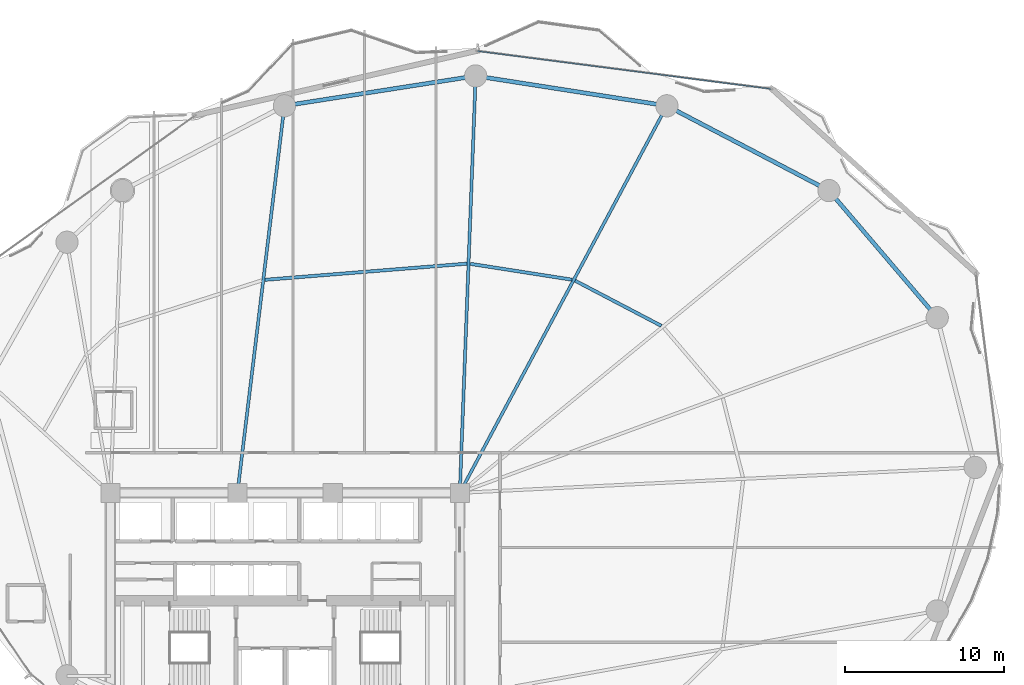
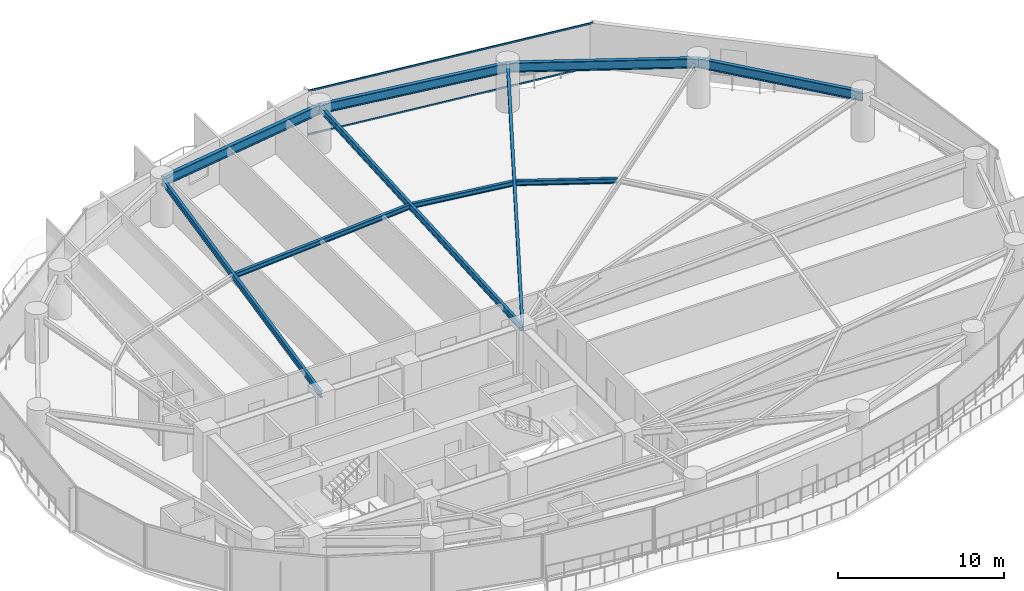
# One storey, part 20 of 30: 10 beams, 2 members, 1 element without a shape of its own.
"""IFC4 building model written with IfcOpenShell, lengths in metres."""

from ifc_helpers import new_model, si_unit, direction, frame, origin, origin_2d, place, context, subcontext, project, spatial, hollow_rectangle, i_section, extrude, material, layer, layer_set, material_profile, profile_set, type_object, element, aggregate, save


model = new_model("IFC4")

# Units and contexts
model_context = context("Model", 3, precision=1e-05, world=origin(), true_north=direction((0.0, 1.0)))
body_context = subcontext(model_context, "Body", "Model", "MODEL_VIEW")
ifc_project = project(units=[si_unit("LENGTHUNIT", "METRE"), si_unit("AREAUNIT", "SQUARE_METRE"), si_unit("VOLUMEUNIT", "CUBIC_METRE"), si_unit("PLANEANGLEUNIT", "RADIAN"), si_unit("MASSUNIT", "GRAM", prefix="KILO")], contexts=[model_context])

# Site, building, storey
site_placement = place(None, origin())
site = spatial("IfcSite", under=ifc_project, at=site_placement, CompositionType="ELEMENT")
building_placement = place(site_placement, origin())
building = spatial("IfcBuilding", under=site, at=building_placement, Name="Kazevale Care Tower and Concert Hall", CompositionType="ELEMENT")
storey_placement = place(building_placement, frame((0.0, 0.0, 88.800048828125)))
storey = spatial("IfcBuildingStorey", under=building, at=storey_placement, Name="L23", CompositionType="ELEMENT", Elevation=88.800048828125)

# Curtain wall, members
ifc_material_1 = material(Name="Aluminium 6063-T6 and Low-E Glass", Category="aluminium")
ifc_layer = layer(ifc_material_1, 0.179931640625)
ifc_layer_set = layer_set([ifc_layer], Name="Aluminium 6063-T6 and Low-E Glass")
curtain_wall_type = type_object("IfcCurtainWallType", Name="Convex Recessed Sunroom Curtain Wall CW-3", PredefinedType="NOTDEFINED", material=ifc_layer_set)
curtain_wall_placement = place(storey_placement, origin())
curtain_wall = element("IfcCurtainWall", 1, at=curtain_wall_placement, inside=storey, type_object=curtain_wall_type, Name="cw:L23:f16", PredefinedType="NOTDEFINED")
ifc_material_2 = material(Name="Aluminium 6063-T6", Category="aluminium")
ifc_material_profile_1 = material_profile(ifc_material_2, hollow_rectangle(XDim=0.074951171875, YDim=0.1201171875, WallThickness=0.00390625, at=origin_2d()), Name="ALU75x120x4")
ifc_profile_set_1 = profile_set([ifc_material_profile_1], Name="Aluminium 6063-T6")
member_type = type_object("IfcMemberType", Name="CW-3 Transom ALU75x120x4", PredefinedType="USERDEFINED", material=ifc_profile_set_1)
member_1_placement = place(storey_placement, frame((45.116455078125, 64.21240234375, 0.037353515625), z_axis=(0.991790531379, -0.12787314756, 0.0), x_axis=(0.12787314756, 0.991790531379, 0.0)))
member_1 = element("IfcMember", 2, at=member_1_placement, type_object=member_type, Name="CW-3 transom 1.1", ObjectType="TRANSOM", PredefinedType="USERDEFINED", context=body_context, shape_type="SweptSolid", body=[
    extrude(hollow_rectangle(XDim=0.074951171875, YDim=0.1201171875, WallThickness=0.00390625, at=origin_2d()), origin(), (0.0, 0.0, 1.0), 18.618896484375),
])
member_2_placement = place(storey_placement, frame((45.116455078125, 64.21240234375, 3.242431640625), z_axis=(0.991790531379, -0.12787314756, 0.0), x_axis=(0.12787314756, 0.991790531379, 0.0)))
member_2 = element("IfcMember", 3, at=member_2_placement, type_object=member_type, Name="CW-3 transom 1.2", ObjectType="TRANSOM", PredefinedType="USERDEFINED", context=body_context, shape_type="SweptSolid", body=[
    extrude(hollow_rectangle(XDim=0.074951171875, YDim=0.1201171875, WallThickness=0.00390625, at=origin_2d()), origin(), (0.0, 0.0, 1.0), 18.618896484375),
])
aggregate(curtain_wall, [member_1, member_2])

# Beams
ifc_material_3 = material(Name="Steel ASTM A572 Gr 50", Category="steel")
ifc_material_profile_2 = material_profile(ifc_material_3, i_section(OverallWidth=0.19091796875, OverallDepth=0.4599609375, WebThickness=0.010009765625, FlangeThickness=0.01611328125, at=origin_2d()), Name="W460x82")
ifc_profile_set_2 = profile_set([ifc_material_profile_2], Name="Steel ASTM A572 Gr 50")
beam_type_1 = type_object("IfcBeamType", Name="Radial Floor Beam W460x82", PredefinedType="BEAM", material=ifc_profile_set_2)
beam_1_placement = place(storey_placement, frame((44.0, 36.39990234375, 3.050048828125), z_axis=(0.471788966953, 0.88171150081, 0.0), x_axis=(-0.88171150081, 0.471788966953, 0.0)))
element("IfcBeam", 4, at=beam_1_placement, inside=storey, type_object=beam_type_1, Name="beam:L23:rad:04", PredefinedType="BEAM", context=body_context, shape_type="SweptSolid", body=[
    extrude(i_section(OverallWidth=0.19091796875, OverallDepth=0.4599609375, WebThickness=0.010009765625, FlangeThickness=0.01611328125, at=origin_2d()), origin(), (0.0, 0.0, 1.0), 27.6396484375),
])
beam_2_placement = place(storey_placement, frame((44.0, 36.39990234375, 3.050048828125), z_axis=(0.038067625343, 0.999275165258, 0.0), x_axis=(-0.999275165258, 0.038067625343, 0.0)))
element("IfcBeam", 5, at=beam_2_placement, inside=storey, type_object=beam_type_1, Name="beam:L23:rad:05", PredefinedType="BEAM", context=body_context, shape_type="SweptSolid", body=[
    extrude(i_section(OverallWidth=0.19091796875, OverallDepth=0.4599609375, WebThickness=0.010009765625, FlangeThickness=0.01611328125, at=origin_2d()), origin(), (0.0, 0.0, 1.0), 26.26904296875),
])
beam_3_placement = place(storey_placement, frame((30.0, 36.39990234375, 3.050048828125), z_axis=(0.120572526662, 0.9927045209, 0.0), x_axis=(-0.9927045209, 0.120572526662, 0.0)))
element("IfcBeam", 6, at=beam_3_placement, inside=storey, type_object=beam_type_1, Name="beam:L23:rad:06", PredefinedType="BEAM", context=body_context, shape_type="SweptSolid", body=[
    extrude(i_section(OverallWidth=0.19091796875, OverallDepth=0.4599609375, WebThickness=0.010009765625, FlangeThickness=0.01611328125, at=origin_2d()), origin(), (0.0, 0.0, 1.0), 24.54931640625),
])
ifc_material_profile_3 = material_profile(ifc_material_3, i_section(OverallWidth=0.205078125, OverallDepth=0.35400390625, WebThickness=0.009521484375, FlangeThickness=0.016845703125, at=origin_2d()), Name="W360x79")
ifc_profile_set_3 = profile_set([ifc_material_profile_3], Name="Steel ASTM A572 Gr 50")
beam_type_2 = type_object("IfcBeamType", Name="Secondary Floor Joist W360x79", PredefinedType="JOIST", material=ifc_profile_set_3)
beam_4_placement = place(storey_placement, frame((56.68896484375, 46.9150390625, 3.10302734375), z_axis=(-0.885921274797, 0.463835633454, 0.0), x_axis=(-0.463835633454, -0.885921274797, 0.0)))
element("IfcBeam", 7, at=beam_4_placement, inside=storey, type_object=beam_type_2, Name="beam:L23:joist:03", PredefinedType="JOIST", context=body_context, shape_type="SweptSolid", body=[
    extrude(i_section(OverallWidth=0.205078125, OverallDepth=0.35400390625, WebThickness=0.009521484375, FlangeThickness=0.016845703125, at=origin_2d()), origin(), (0.0, 0.0, 1.0), 6.12255859375),
])
beam_5_placement = place(storey_placement, frame((51.068115234375, 49.820068359375, 3.10302734375), z_axis=(-0.988040697826, 0.154193318403, 0.0), x_axis=(-0.154193318403, -0.988040697826, 0.0)))
element("IfcBeam", 8, at=beam_5_placement, inside=storey, type_object=beam_type_2, Name="beam:L23:joist:04", PredefinedType="JOIST", context=body_context, shape_type="SweptSolid", body=[
    extrude(i_section(OverallWidth=0.205078125, OverallDepth=0.35400390625, WebThickness=0.009521484375, FlangeThickness=0.016845703125, at=origin_2d()), origin(), (0.0, 0.0, 1.0), 6.49169921875),
])
beam_6_placement = place(storey_placement, frame((44.445068359375, 50.8291015625, 3.10302734375), z_axis=(-0.996814548036, -0.079754353015, 0.0), x_axis=(0.079754353015, -0.996814548036, 0.0)))
element("IfcBeam", 9, at=beam_6_placement, inside=storey, type_object=beam_type_2, Name="beam:L23:joist:05", PredefinedType="JOIST", context=body_context, shape_type="SweptSolid", body=[
    extrude(i_section(OverallWidth=0.205078125, OverallDepth=0.35400390625, WebThickness=0.009521484375, FlangeThickness=0.016845703125, at=origin_2d()), origin(), (0.0, 0.0, 1.0), 12.752685546875),
])
ifc_material_profile_4 = material_profile(ifc_material_3, i_section(OverallWidth=0.256103515625, OverallDepth=0.693115234375, WebThickness=0.014404296875, FlangeThickness=0.023681640625, at=origin_2d()), Name="W690x170")
ifc_profile_set_4 = profile_set([ifc_material_profile_4], Name="Steel ASTM A572 Gr 50")
beam_type_3 = type_object("IfcBeamType", Name="Waist Ring Beam W690x170", PredefinedType="BEAM", material=ifc_profile_set_4)
beam_7_placement = place(storey_placement, frame((74.06005859375, 47.429931640625, 2.933349609375), z_axis=(-0.648756004283, 0.760996482848, 0.0), x_axis=(-0.760996482848, -0.648756004283, 0.0)))
element("IfcBeam", 10, at=beam_7_placement, inside=storey, type_object=beam_type_3, Name="beam:L23:ring:02", PredefinedType="BEAM", context=body_context, shape_type="SweptSolid", body=[
    extrude(i_section(OverallWidth=0.256103515625, OverallDepth=0.693115234375, WebThickness=0.014404296875, FlangeThickness=0.023681640625, at=origin_2d()), origin(), (0.0, 0.0, 1.0), 10.512451171875),
])
beam_8_placement = place(storey_placement, frame((67.239990234375, 55.429931640625, 2.933349609375), z_axis=(-0.885929466679, 0.463819986708, 0.0), x_axis=(-0.463819986708, -0.885929466679, 0.0)))
element("IfcBeam", 11, at=beam_8_placement, inside=storey, type_object=beam_type_3, Name="beam:L23:ring:03", PredefinedType="BEAM", context=body_context, shape_type="SweptSolid", body=[
    extrude(i_section(OverallWidth=0.256103515625, OverallDepth=0.693115234375, WebThickness=0.014404296875, FlangeThickness=0.023681640625, at=origin_2d()), origin(), (0.0, 0.0, 1.0), 11.51318359375),
])
for number, where, z_axis, x_axis, name in (
    (12, (57.0400390625, 60.77001953125, 2.933349609375), (-0.988029216561, 0.154266870134, 0.0), (-0.154266870134, -0.988029216561, 0.0), "beam:L23:ring:04"),
    (13, (45.0, 62.64990234375, 2.933349609375), (-0.988029216561, -0.154266870134, 0.0), (0.154266870134, -0.988029216561, 0.0), "beam:L23:ring:05"),
):
    element("IfcBeam", number, at=place(storey_placement, frame(where, z_axis=z_axis, x_axis=x_axis)), inside=storey, type_object=beam_type_3, Name=name, PredefinedType="BEAM", context=body_context, shape_type="SweptSolid", body=[
        extrude(i_section(OverallWidth=0.256103515625, OverallDepth=0.693115234375, WebThickness=0.014404296875, FlangeThickness=0.023681640625, at=origin_2d()), origin(), (0.0, 0.0, 1.0), 12.18603515625),
    ])

save(model, "model.ifc")
